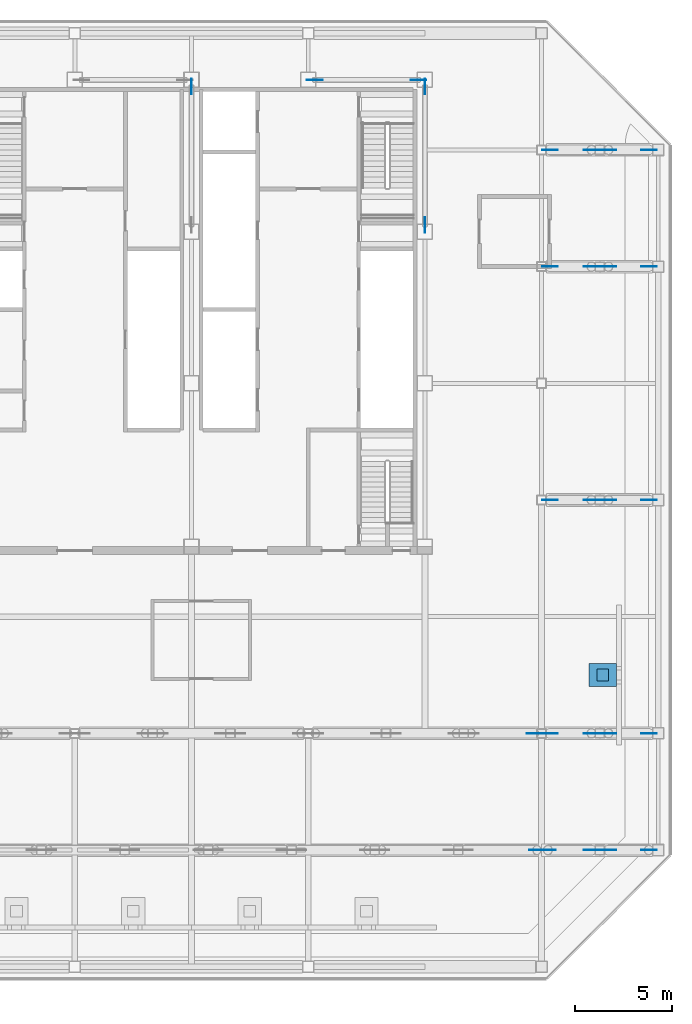
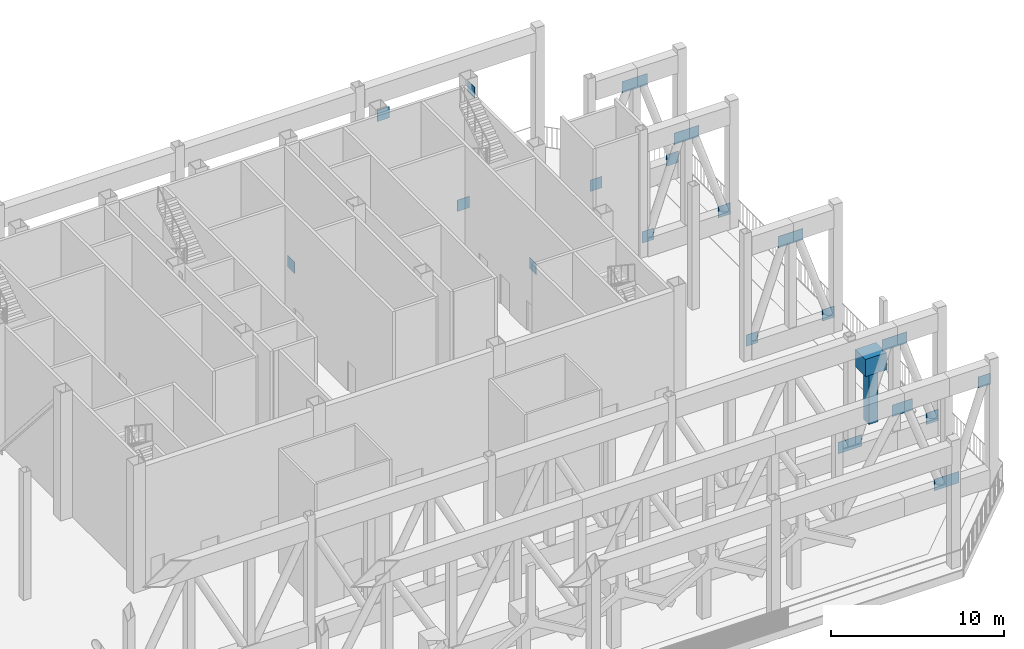
# One storey, part 14 of 22: 22 discrete accessories.
"""IFC4 building model written with IfcOpenShell, lengths in metres."""

from ifc_helpers import new_model, si_unit, direction, frame, origin, origin_2d, place, context, subcontext, project, spatial, rectangle, extrude, material, layer, layer_set, type_object, element, save


model = new_model("IFC4")

# Units and contexts
model_context = context("Model", 3, precision=1e-05, world=origin(), true_north=direction((0.0, 1.0)))
body_context = subcontext(model_context, "Body", "Model", "MODEL_VIEW")
ifc_project = project(units=[si_unit("LENGTHUNIT", "METRE"), si_unit("AREAUNIT", "SQUARE_METRE"), si_unit("VOLUMEUNIT", "CUBIC_METRE"), si_unit("PLANEANGLEUNIT", "RADIAN"), si_unit("MASSUNIT", "GRAM", prefix="KILO")], contexts=[model_context])

# Site, building, storey
site_placement = place(None, origin())
site = spatial("IfcSite", under=ifc_project, at=site_placement, CompositionType="ELEMENT")
building_placement = place(site_placement, origin())
building = spatial("IfcBuilding", under=site, at=building_placement, Name="Sorahane Residences", CompositionType="ELEMENT")
storey_placement = place(building_placement, frame((0.0, 0.0, 281.800048828125)))
storey = spatial("IfcBuildingStorey", under=building, at=storey_placement, Name="L67", CompositionType="ELEMENT", Elevation=281.800048828125)

# Discrete accessories
ifc_material_1 = material(Name="Steel Q355B", Category="steel")
ifc_layer_1 = layer(ifc_material_1, 0.02490234375)
ifc_layer_set_1 = layer_set([ifc_layer_1], Name="Node plate Steel Q355B 25")
discrete_accessory_type_1 = type_object("IfcDiscreteAccessoryType", Name="Node plate Steel Q355B 25", PredefinedType="BRACKET", material=ifc_layer_set_1)
for number, where, z_axis, x_axis, name in (
    (1, (30.0, 45.25634765625, -0.33935546875), (0.0, 0.0, 1.0), (0.0, 1.0, 0.0), "Node plate L67 br"),
    (2, (42.0, 38.1435546875, -0.33935546875), (0.0, 0.0, 1.0), (0.0, 1.0, 0.0), "Node plate L67 br"),
    (3, (42.0, 45.25634765625, 7.78955078125), (0.0, 0.0, 1.0), (0.0, 1.0, 0.0), "Node plate L67 br"),
    (4, (41.662841796875, 45.60009765625, -0.37158203125), (0.0, 0.0, 1.0), (1.0, 0.0, 0.0), "Node plate L67 br"),
    (5, (36.337158203125, 45.60009765625, 7.82177734375), (0.0, 0.0, 1.0), (1.0, 0.0, 0.0), "Node plate L67 br"),
):
    element("IfcDiscreteAccessory", number, at=place(storey_placement, frame(where, z_axis=z_axis, x_axis=x_axis)), inside=storey, type_object=discrete_accessory_type_1, Name=name, PredefinedType="BRACKET", context=body_context, shape_type="SweptSolid", body=[
        extrude(rectangle(XDim=0.800048828125, YDim=0.02490234375, at=origin_2d()), origin(), (0.0, 0.0, 1.0), 0.800048828125),
    ])
ifc_material_2 = material(Name="Steel Q420GJ", Category="steel")
ifc_layer_2 = layer(ifc_material_2, 0.02490234375)
ifc_layer_set_2 = layer_set([ifc_layer_2], Name="Node plate Steel Q420GJ 25")
discrete_accessory_type_2 = type_object("IfcDiscreteAccessoryType", Name="Node plate Steel Q420GJ 25", PredefinedType="BRACKET", material=ifc_layer_set_2)
discrete_accessory_1_placement = place(storey_placement, frame((51.004150390625, 6.0, 0.85107421875), z_axis=(0.0, 0.0, 1.0), x_axis=(1.0, 0.0, 0.0)))
element("IfcDiscreteAccessory", 6, at=discrete_accessory_1_placement, inside=storey, type_object=discrete_accessory_type_2, Name="Node plate L67 tr", PredefinedType="BRACKET", context=body_context, shape_type="SweptSolid", body=[
    extrude(rectangle(XDim=1.66162109375, YDim=0.02490234375, at=origin_2d()), origin(), (0.0, 0.0, 1.0), 0.802490234375),
])
discrete_accessory_2_placement = place(storey_placement, frame((48.042724609375, 6.0, 7.048828125), z_axis=(0.0, 0.0, 1.0), x_axis=(1.0, 0.0, 0.0)))
element("IfcDiscreteAccessory", 7, at=discrete_accessory_2_placement, inside=storey, type_object=discrete_accessory_type_2, Name="Node plate L67 tr", PredefinedType="BRACKET", context=body_context, shape_type="SweptSolid", body=[
    extrude(rectangle(XDim=1.367919921875, YDim=0.02490234375, at=origin_2d()), origin(), (0.0, 0.0, 1.0), 0.818115234375),
])
discrete_accessory_3_placement = place(storey_placement, frame((53.514892578125, 6.0, 7.04638671875), z_axis=(0.0, 0.0, 1.0), x_axis=(1.0, 0.0, 0.0)))
element("IfcDiscreteAccessory", 8, at=discrete_accessory_3_placement, inside=storey, type_object=discrete_accessory_type_2, Name="Node plate L67 tr", PredefinedType="BRACKET", context=body_context, shape_type="SweptSolid", body=[
    extrude(rectangle(XDim=0.800048828125, YDim=0.02490234375, at=origin_2d()), origin(), (0.0, 0.0, 1.0), 0.800048828125),
])
discrete_accessory_4_placement = place(storey_placement, frame((48.031494140625, 12.0, 0.837890625), z_axis=(0.0, 0.0, 1.0), x_axis=(1.0, 0.0, 0.0)))
element("IfcDiscreteAccessory", 9, at=discrete_accessory_4_placement, inside=storey, type_object=discrete_accessory_type_2, Name="Node plate L67 tr", PredefinedType="BRACKET", context=body_context, shape_type="SweptSolid", body=[
    extrude(rectangle(XDim=1.601318359375, YDim=0.02490234375, at=origin_2d()), origin(), (0.0, 0.0, 1.0), 0.814697265625),
])
discrete_accessory_5_placement = place(storey_placement, frame((53.514892578125, 12.0, 0.853515625), z_axis=(0.0, 0.0, 1.0), x_axis=(1.0, 0.0, 0.0)))
element("IfcDiscreteAccessory", 10, at=discrete_accessory_5_placement, inside=storey, type_object=discrete_accessory_type_2, Name="Node plate L67 tr", PredefinedType="BRACKET", context=body_context, shape_type="SweptSolid", body=[
    extrude(rectangle(XDim=0.800048828125, YDim=0.02490234375, at=origin_2d()), origin(), (0.0, 0.0, 1.0), 0.800048828125),
])
discrete_accessory_6_placement = place(storey_placement, frame((51.00146484375, 12.0, 7.046630859375), z_axis=(0.0, 0.0, 1.0), x_axis=(1.0, 0.0, 0.0)))
element("IfcDiscreteAccessory", 11, at=discrete_accessory_6_placement, inside=storey, type_object=discrete_accessory_type_2, Name="Node plate L67 tr", PredefinedType="BRACKET", context=body_context, shape_type="SweptSolid", body=[
    extrude(rectangle(XDim=1.66748046875, YDim=0.02490234375, at=origin_2d()), origin(), (0.0, 0.0, 1.0), 0.80078125),
])
for number, where, z_axis, x_axis, name in (
    (12, (48.432373046875, 24.0, 0.8525390625), (0.0, 0.0, 1.0), (1.0, 0.0, 0.0), "Node plate L67 tr"),
    (13, (53.514892578125, 24.0, 0.853515625), (0.0, 0.0, 1.0), (1.0, 0.0, 0.0), "Node plate L67 tr"),
):
    element("IfcDiscreteAccessory", number, at=place(storey_placement, frame(where, z_axis=z_axis, x_axis=x_axis)), inside=storey, type_object=discrete_accessory_type_2, Name=name, PredefinedType="BRACKET", context=body_context, shape_type="SweptSolid", body=[
        extrude(rectangle(XDim=0.800048828125, YDim=0.02490234375, at=origin_2d()), origin(), (0.0, 0.0, 1.0), 0.800048828125),
    ])
discrete_accessory_7_placement = place(storey_placement, frame((51.00146484375, 24.0, 7.046630859375), z_axis=(0.0, 0.0, 1.0), x_axis=(1.0, 0.0, 0.0)))
element("IfcDiscreteAccessory", 14, at=discrete_accessory_7_placement, inside=storey, type_object=discrete_accessory_type_2, Name="Node plate L67 tr", PredefinedType="BRACKET", context=body_context, shape_type="SweptSolid", body=[
    extrude(rectangle(XDim=1.66748046875, YDim=0.02490234375, at=origin_2d()), origin(), (0.0, 0.0, 1.0), 0.80078125),
])
for number, where, z_axis, x_axis, name in (
    (15, (48.432373046875, 36.0, 0.8525390625), (0.0, 0.0, 1.0), (1.0, 0.0, 0.0), "Node plate L67 tr"),
    (16, (53.514892578125, 36.0, 0.853515625), (0.0, 0.0, 1.0), (1.0, 0.0, 0.0), "Node plate L67 tr"),
):
    element("IfcDiscreteAccessory", number, at=place(storey_placement, frame(where, z_axis=z_axis, x_axis=x_axis)), inside=storey, type_object=discrete_accessory_type_2, Name=name, PredefinedType="BRACKET", context=body_context, shape_type="SweptSolid", body=[
        extrude(rectangle(XDim=0.800048828125, YDim=0.02490234375, at=origin_2d()), origin(), (0.0, 0.0, 1.0), 0.800048828125),
    ])
discrete_accessory_8_placement = place(storey_placement, frame((51.00146484375, 36.0, 7.046630859375), z_axis=(0.0, 0.0, 1.0), x_axis=(1.0, 0.0, 0.0)))
element("IfcDiscreteAccessory", 17, at=discrete_accessory_8_placement, inside=storey, type_object=discrete_accessory_type_2, Name="Node plate L67 tr", PredefinedType="BRACKET", context=body_context, shape_type="SweptSolid", body=[
    extrude(rectangle(XDim=1.66748046875, YDim=0.02490234375, at=origin_2d()), origin(), (0.0, 0.0, 1.0), 0.80078125),
])
for number, where, z_axis, x_axis, name in (
    (18, (48.432373046875, 42.0, 0.8525390625), (0.0, 0.0, 1.0), (1.0, 0.0, 0.0), "Node plate L67 tr"),
    (19, (53.514892578125, 42.0, 0.853515625), (0.0, 0.0, 1.0), (1.0, 0.0, 0.0), "Node plate L67 tr"),
):
    element("IfcDiscreteAccessory", number, at=place(storey_placement, frame(where, z_axis=z_axis, x_axis=x_axis)), inside=storey, type_object=discrete_accessory_type_2, Name=name, PredefinedType="BRACKET", context=body_context, shape_type="SweptSolid", body=[
        extrude(rectangle(XDim=0.800048828125, YDim=0.02490234375, at=origin_2d()), origin(), (0.0, 0.0, 1.0), 0.800048828125),
    ])
discrete_accessory_9_placement = place(storey_placement, frame((51.00146484375, 42.0, 7.046630859375), z_axis=(0.0, 0.0, 1.0), x_axis=(1.0, 0.0, 0.0)))
element("IfcDiscreteAccessory", 20, at=discrete_accessory_9_placement, inside=storey, type_object=discrete_accessory_type_2, Name="Node plate L67 tr", PredefinedType="BRACKET", context=body_context, shape_type="SweptSolid", body=[
    extrude(rectangle(XDim=1.66748046875, YDim=0.02490234375, at=origin_2d()), origin(), (0.0, 0.0, 1.0), 0.80078125),
])
ifc_material_3 = material(Name="Black powder-coated steel mast", Category="steel")
discrete_accessory_type_3 = type_object("IfcDiscreteAccessoryType", Name="Wind generator mast dark steel 600", PredefinedType="USERDEFINED", material=ifc_material_3)
discrete_accessory_10_placement = place(storey_placement, frame((51.14990234375, 15.0, 0.0), z_axis=(0.0, 0.0, 1.0), x_axis=(1.0, 0.0, 0.0)))
element("IfcDiscreteAccessory", 21, at=discrete_accessory_10_placement, inside=storey, type_object=discrete_accessory_type_3, Name="Wind generator mast L67-01", ObjectType="Turbine mast", PredefinedType="USERDEFINED", context=body_context, shape_type="SweptSolid", body=[
    extrude(rectangle(XDim=0.60009765625, YDim=0.60009765625, at=origin_2d()), origin(), (0.0, 0.0, 1.0), 3.699951171875),
])
ifc_material_4 = material(Name="White powder-coated steel", Category="steel")
ifc_layer_3 = layer(ifc_material_4, 0.25)
ifc_layer_set_3 = layer_set([ifc_layer_3], Name="Wind generator nacelle white steel 1400x1200")
discrete_accessory_type_4 = type_object("IfcDiscreteAccessoryType", Name="Wind generator nacelle white steel 1400x1200", PredefinedType="USERDEFINED", material=ifc_layer_set_3)
discrete_accessory_11_placement = place(storey_placement, frame((51.14990234375, 15.0, 3.7001953125), z_axis=(0.0, 0.0, 1.0), x_axis=(1.0, 0.0, 0.0)))
element("IfcDiscreteAccessory", 22, at=discrete_accessory_11_placement, inside=storey, type_object=discrete_accessory_type_4, Name="Wind generator nacelle L67-01", ObjectType="Turbine hub cap", PredefinedType="USERDEFINED", context=body_context, shape_type="SweptSolid", body=[
    extrude(rectangle(XDim=1.39990234375, YDim=1.199951171875, at=origin_2d()), origin(), (0.0, 0.0, 1.0), 1.199951171875),
])

save(model, "model.ifc")
